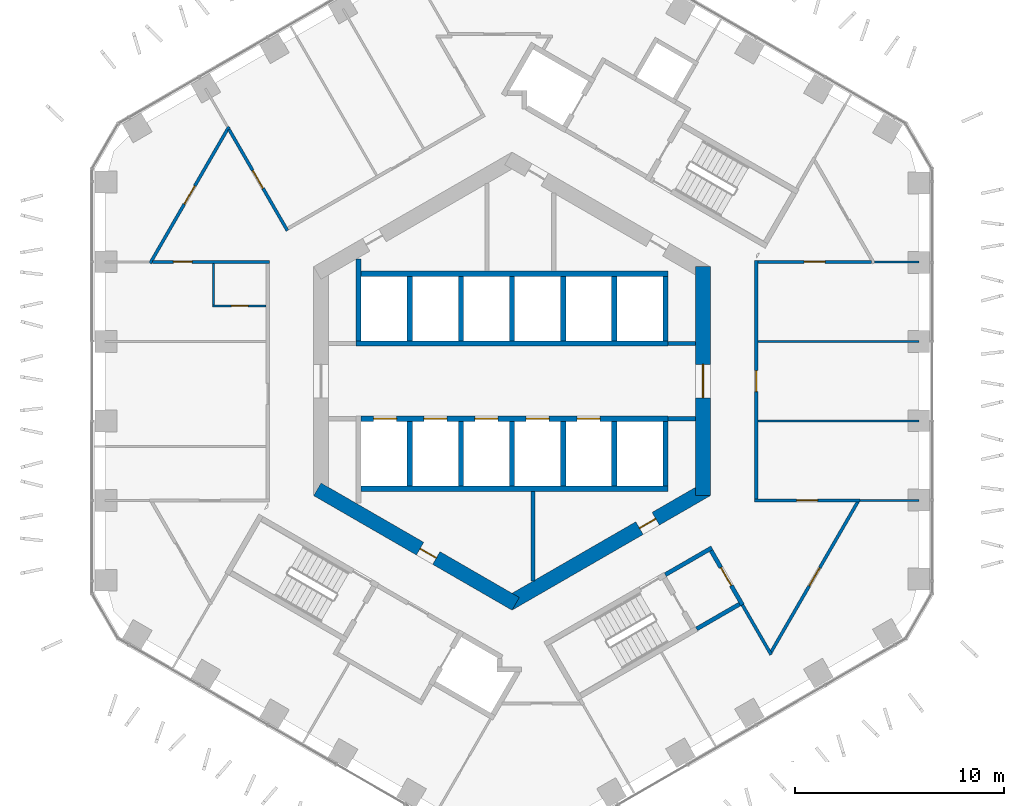
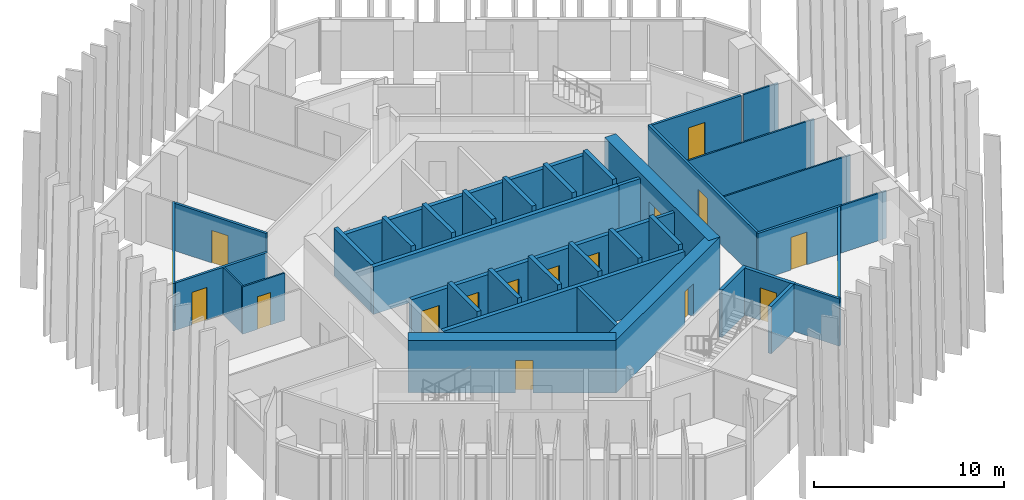
# One storey, part 13 of 18: 40 walls, 17 doors, 17 openings.
"""IFC4 building model written with IfcOpenShell, lengths in metres."""

from ifc_helpers import new_model, si_unit, direction, frame, frame_2d, origin, place, context, subcontext, project, spatial, rectangle, extrude, material, layer, layer_set, type_object, element, fill, save


model = new_model("IFC4")

# Units and contexts
model_context = context("Model", 3, precision=1e-05, world=origin(), true_north=direction((0.0, 1.0)))
body_context = subcontext(model_context, "Body", "Model", "MODEL_VIEW")
ifc_project = project(units=[si_unit("LENGTHUNIT", "METRE"), si_unit("AREAUNIT", "SQUARE_METRE"), si_unit("VOLUMEUNIT", "CUBIC_METRE"), si_unit("PLANEANGLEUNIT", "RADIAN"), si_unit("MASSUNIT", "GRAM", prefix="KILO")], contexts=[model_context])

# Site, building, storey
site_placement = place(None, origin())
site = spatial("IfcSite", under=ifc_project, at=site_placement, CompositionType="ELEMENT")
building_placement = place(site_placement, origin())
building = spatial("IfcBuilding", under=site, at=building_placement, Name="Ayvan Gate Tower", CompositionType="ELEMENT")
storey_placement = place(building_placement, frame((0.0, 0.0, 83.10009765625)))
storey = spatial("IfcBuildingStorey", under=building, at=storey_placement, Name="L21", CompositionType="ELEMENT", Elevation=83.10009765625)

# Wall, opening, door
ifc_material_1 = material(Name="Concrete C70/85", Category="concrete")
ifc_layer_1 = layer(ifc_material_1, 0.699951171875)
ifc_layer_set_1 = layer_set([ifc_layer_1], Name="Concrete C70/85")
wall_type_1 = type_object("IfcWallType", Name="Core wall 700 C70/85", PredefinedType="SHEAR", material=ifc_layer_set_1)
wall_1_placement = place(storey_placement, frame((9.14990234375, -5.48486328125, 0.0), z_axis=(0.0, 0.0, 1.0), x_axis=(0.0, 1.0, 0.0)))
wall_1 = element("IfcWall", 1, at=wall_1_placement, inside=storey, type_object=wall_type_1, Name="CORE-L21-0", PredefinedType="SHEAR", context=body_context, shape_type="SweptSolid", body=[
    extrude(rectangle(XDim=10.9697265625, YDim=0.699951171875, at=frame_2d((5.48486328125, 0.0))), origin(), (0.0, 0.0, 1.0), 3.39990234375),
])
opening_1_placement = place(wall_1_placement, frame((4.684814453125, 0.0, 0.0)))
opening_1 = element("IfcOpeningElement", 2, at=opening_1_placement, cuts=wall_1, Name="Opening L21-D42", PredefinedType="OPENING", context=body_context, shape_type="SweptSolid", body=[
    extrude(rectangle(XDim=1.60009765625, YDim=2.10009765625, at=frame_2d((0.800048828125, 1.050048828125))), frame((0.0, 0.35986328125, 0.0), z_axis=(0.0, -1.0, 0.0), x_axis=(1.0, 0.0, 0.0)), (0.0, 0.0, 1.0), 0.719970703125),
])
ifc_material_2 = material(Name="Timber door leaf", Category="wood")
door_type_1 = type_object("IfcDoorType", Name="DT-1600", OperationType="NOTDEFINED", PredefinedType="DOOR", material=ifc_material_2)
door_1_placement = place(opening_1_placement, origin())
door_1 = element("IfcDoor", 3, at=door_1_placement, inside=storey, type_object=door_type_1, Name="CD-L21-42", OperationType="SINGLE_SWING_LEFT", OverallHeight=2.10009765625, OverallWidth=1.60009765625, PredefinedType="DOOR", context=body_context, shape_type="SweptSolid", body=[
    extrude(rectangle(XDim=1.60009765625, YDim=2.10009765625, at=frame_2d((0.800048828125, 1.050048828125))), frame((0.0, 0.02490234375, 0.0), z_axis=(0.0, -1.0, 0.0), x_axis=(1.0, 0.0, 0.0)), (0.0, 0.0, 1.0), 0.050048828125),
])
fill(opening_1, door_1)

wall_2_placement = place(storey_placement, frame((-9.324951171875, -5.181640625, 0.0), z_axis=(0.0, 0.0, 1.0), x_axis=(0.866023993627, -0.500002442456, 0.0)))
wall_2 = element("IfcWall", 4, at=wall_2_placement, inside=storey, type_object=wall_type_1, Name="CORE-L21-4", PredefinedType="SHEAR", context=body_context, shape_type="SweptSolid", body=[
    extrude(rectangle(XDim=10.9697265625, YDim=0.699951171875, at=frame_2d((5.48486328125, 0.0))), origin(), (0.0, 0.0, 1.0), 3.39990234375),
])
opening_2_placement = place(wall_2_placement, frame((5.68212890625, 0.0, 0.0)))
opening_2 = element("IfcOpeningElement", 5, at=opening_2_placement, cuts=wall_2, Name="Opening L21-D40", PredefinedType="OPENING", context=body_context, shape_type="SweptSolid", body=[
    extrude(rectangle(XDim=0.89990234375, YDim=2.10009765625, at=frame_2d((0.449951171875, 1.050048828125))), frame((0.0, 0.35986328125, 0.0), z_axis=(0.0, -1.0, 0.0), x_axis=(1.0, 0.0, 0.0)), (0.0, 0.0, 1.0), 0.719970703125),
])
door_type_2 = type_object("IfcDoorType", Name="DT-900", OperationType="NOTDEFINED", PredefinedType="DOOR", material=ifc_material_2)
door_2_placement = place(opening_2_placement, origin())
door_2 = element("IfcDoor", 6, at=door_2_placement, inside=storey, type_object=door_type_2, Name="CD-L21-40", OperationType="SINGLE_SWING_LEFT", OverallHeight=2.10009765625, OverallWidth=0.89990234375, PredefinedType="DOOR", context=body_context, shape_type="SweptSolid", body=[
    extrude(rectangle(XDim=0.89990234375, YDim=2.10009765625, at=frame_2d((0.449951171875, 1.050048828125))), frame((0.0, 0.02490234375, 0.0), z_axis=(0.0, -1.0, 0.0), x_axis=(1.0, 0.0, 0.0)), (0.0, 0.0, 1.0), 0.050048828125),
])
fill(opening_2, door_2)

wall_3_placement = place(storey_placement, frame((-0.175048828125, -10.66650390625, 0.0), z_axis=(0.0, 0.0, 1.0), x_axis=(0.866023993627, 0.500002442456, 0.0)))
wall_3 = element("IfcWall", 7, at=wall_3_placement, inside=storey, type_object=wall_type_1, Name="CORE-L21-5", PredefinedType="SHEAR", context=body_context, shape_type="SweptSolid", body=[
    extrude(rectangle(XDim=10.9697265625, YDim=0.699951171875, at=frame_2d((5.48486328125, 0.0))), origin(), (0.0, 0.0, 1.0), 3.39990234375),
])
opening_3_placement = place(wall_3_placement, frame((7.25244140625, 0.0, 0.0)))
opening_3 = element("IfcOpeningElement", 8, at=opening_3_placement, cuts=wall_3, Name="Opening L21-D41", PredefinedType="OPENING", context=body_context, shape_type="SweptSolid", body=[
    extrude(rectangle(XDim=0.89990234375, YDim=2.10009765625, at=frame_2d((0.449951171875, 1.050048828125))), frame((0.0, 0.35986328125, 0.0), z_axis=(0.0, -1.0, 0.0), x_axis=(1.0, 0.0, 0.0)), (0.0, 0.0, 1.0), 0.719970703125),
])
door_3_placement = place(opening_3_placement, origin())
door_3 = element("IfcDoor", 9, at=door_3_placement, inside=storey, type_object=door_type_2, Name="CD-L21-41", OperationType="SINGLE_SWING_RIGHT", OverallHeight=2.10009765625, OverallWidth=0.89990234375, PredefinedType="DOOR", context=body_context, shape_type="SweptSolid", body=[
    extrude(rectangle(XDim=0.89990234375, YDim=2.10009765625, at=frame_2d((0.449951171875, 1.050048828125))), frame((0.0, 0.02490234375, 0.0), z_axis=(0.0, -1.0, 0.0), x_axis=(1.0, 0.0, 0.0)), (0.0, 0.0, 1.0), 0.050048828125),
])
fill(opening_3, door_3)

ifc_material_3 = material(Name="Plasterboard on steel stud", Category="steel")
ifc_layer_2 = layer(ifc_material_3, 0.14990234375)
ifc_layer_set_2 = layer_set([ifc_layer_2], Name="Plasterboard on steel stud")
wall_type_2 = type_object("IfcWallType", Name="WT-CORR-150", PredefinedType="PARTITIONING", material=ifc_layer_set_2)
wall_4_placement = place(storey_placement, frame((-17.33544921875, 5.645751953125, 0.0), z_axis=(0.0, 0.0, 1.0), x_axis=(0.499989064333, 0.866031717402, 0.0)))
wall_4 = element("IfcWall", 10, at=wall_4_placement, inside=storey, type_object=wall_type_2, Name="IW-L21-003", PredefinedType="PARTITIONING", context=body_context, shape_type="SweptSolid", body=[
    extrude(rectangle(XDim=7.556884765625, YDim=0.14990234375, at=frame_2d((3.7783203125, 0.0))), origin(), (0.0, 0.0, 1.0), 3.0498046875),
])
opening_4_placement = place(wall_4_placement, frame((3.2783203125, 0.0, 0.0)))
opening_4 = element("IfcOpeningElement", 11, at=opening_4_placement, cuts=wall_4, Name="Opening L21-D23", PredefinedType="OPENING", context=body_context, shape_type="SweptSolid", body=[
    extrude(rectangle(XDim=1.0, YDim=2.10009765625, at=frame_2d((0.5, 1.050048828125))), frame((0.0, 0.0849609375, 0.0), z_axis=(0.0, -1.0, 0.0), x_axis=(1.0, 0.0, 0.0)), (0.0, 0.0, 1.0), 0.169921875),
])
door_type_3 = type_object("IfcDoorType", Name="DT-1000", OperationType="NOTDEFINED", PredefinedType="DOOR", material=ifc_material_2)
door_4_placement = place(opening_4_placement, origin())
door_4 = element("IfcDoor", 12, at=door_4_placement, inside=storey, type_object=door_type_3, Name="ID-L21-023", OperationType="SINGLE_SWING_RIGHT", OverallHeight=2.10009765625, OverallWidth=1.0, PredefinedType="DOOR", context=body_context, shape_type="SweptSolid", body=[
    extrude(rectangle(XDim=1.0, YDim=2.10009765625, at=frame_2d((0.5, 1.050048828125))), frame((0.0, 0.02490234375, 0.0), z_axis=(0.0, -1.0, 0.0), x_axis=(1.0, 0.0, 0.0)), (0.0, 0.0, 1.0), 0.050048828125),
])
fill(opening_4, door_4)

wall_5_placement = place(storey_placement, frame((-17.222900390625, 5.710693359375, 0.0), z_axis=(0.0, 0.0, 1.0), x_axis=(1.0, 0.0, 0.0)))
wall_5 = element("IfcWall", 13, at=wall_5_placement, inside=storey, type_object=wall_type_2, Name="IW-L21-009", PredefinedType="PARTITIONING", context=body_context, shape_type="SweptSolid", body=[
    extrude(rectangle(XDim=5.597900390625, YDim=0.14990234375, at=frame_2d((2.798828125, 0.0))), origin(), (0.0, 0.0, 1.0), 3.0498046875),
])
opening_5_placement = place(wall_5_placement, frame((0.99658203125, 0.0, 0.0)))
opening_5 = element("IfcOpeningElement", 14, at=opening_5_placement, cuts=wall_5, Name="Opening L21-D24", PredefinedType="OPENING", context=body_context, shape_type="SweptSolid", body=[
    extrude(rectangle(XDim=0.89990234375, YDim=2.10009765625, at=frame_2d((0.449951171875, 1.050048828125))), frame((0.0, 0.0849609375, 0.0), z_axis=(0.0, -1.0, 0.0), x_axis=(1.0, 0.0, 0.0)), (0.0, 0.0, 1.0), 0.169921875),
])
door_5_placement = place(opening_5_placement, origin())
door_5 = element("IfcDoor", 15, at=door_5_placement, inside=storey, type_object=door_type_2, Name="ID-L21-024", OperationType="SINGLE_SWING_LEFT", OverallHeight=2.10009765625, OverallWidth=0.89990234375, PredefinedType="DOOR", context=body_context, shape_type="SweptSolid", body=[
    extrude(rectangle(XDim=0.89990234375, YDim=2.10009765625, at=frame_2d((0.449951171875, 1.050048828125))), frame((0.0, 0.02490234375, 0.0), z_axis=(0.0, -1.0, 0.0), x_axis=(1.0, 0.0, 0.0)), (0.0, 0.0, 1.0), 0.050048828125),
])
fill(opening_5, door_5)

wall_6_placement = place(storey_placement, frame((-13.55712890625, 12.060302734375, 0.0), z_axis=(0.0, 0.0, 1.0), x_axis=(0.499966582715, -0.866044696403, 0.0)))
wall_6 = element("IfcWall", 16, at=wall_6_placement, inside=storey, type_object=wall_type_2, Name="IW-L21-010", PredefinedType="PARTITIONING", context=body_context, shape_type="SweptSolid", body=[
    extrude(rectangle(XDim=5.59814453125, YDim=0.14990234375, at=frame_2d((2.799072265625, 0.0))), origin(), (0.0, 0.0, 1.0), 3.0498046875),
])
opening_6_placement = place(wall_6_placement, frame((2.261474609375, 0.0, 0.0)))
opening_6 = element("IfcOpeningElement", 17, at=opening_6_placement, cuts=wall_6, Name="Opening L21-D36", PredefinedType="OPENING", context=body_context, shape_type="SweptSolid", body=[
    extrude(rectangle(XDim=1.0, YDim=2.10009765625, at=frame_2d((0.5, 1.050048828125))), frame((0.0, 0.0849609375, 0.0), z_axis=(0.0, -1.0, 0.0), x_axis=(1.0, 0.0, 0.0)), (0.0, 0.0, 1.0), 0.169921875),
])
door_6_placement = place(opening_6_placement, origin())
door_6 = element("IfcDoor", 18, at=door_6_placement, inside=storey, type_object=door_type_3, Name="ID-L21-036", OperationType="SINGLE_SWING_LEFT", OverallHeight=2.10009765625, OverallWidth=1.0, PredefinedType="DOOR", context=body_context, shape_type="SweptSolid", body=[
    extrude(rectangle(XDim=1.0, YDim=2.10009765625, at=frame_2d((0.5, 1.050048828125))), frame((0.0, 0.02490234375, 0.0), z_axis=(0.0, -1.0, 0.0), x_axis=(1.0, 0.0, 0.0)), (0.0, 0.0, 1.0), 0.050048828125),
])
fill(opening_6, door_6)

wall_7_placement = place(storey_placement, frame((11.625, -5.710693359375, 0.0), z_axis=(0.0, 0.0, 1.0), x_axis=(1.0, 0.0, 0.0)))
wall_7 = element("IfcWall", 19, at=wall_7_placement, inside=storey, type_object=wall_type_2, Name="IW-L21-096", PredefinedType="PARTITIONING", context=body_context, shape_type="SweptSolid", body=[
    extrude(rectangle(XDim=5.05517578125, YDim=0.14990234375, at=frame_2d((2.527587890625, 0.0))), origin(), (0.0, 0.0, 1.0), 3.0498046875),
])
opening_7_placement = place(wall_7_placement, frame((2.01025390625, 0.0, 0.0)))
opening_7 = element("IfcOpeningElement", 20, at=opening_7_placement, cuts=wall_7, Name="Opening L21-D17", PredefinedType="OPENING", context=body_context, shape_type="SweptSolid", body=[
    extrude(rectangle(XDim=1.0, YDim=2.10009765625, at=frame_2d((0.5, 1.050048828125))), frame((0.0, 0.0849609375, 0.0), z_axis=(0.0, -1.0, 0.0), x_axis=(1.0, 0.0, 0.0)), (0.0, 0.0, 1.0), 0.169921875),
])
door_7_placement = place(opening_7_placement, origin())
door_7 = element("IfcDoor", 21, at=door_7_placement, inside=storey, type_object=door_type_3, Name="ID-L21-017", OperationType="SINGLE_SWING_RIGHT", OverallHeight=2.10009765625, OverallWidth=1.0, PredefinedType="DOOR", context=body_context, shape_type="SweptSolid", body=[
    extrude(rectangle(XDim=1.0, YDim=2.10009765625, at=frame_2d((0.5, 1.050048828125))), frame((0.0, 0.02490234375, 0.0), z_axis=(0.0, -1.0, 0.0), x_axis=(1.0, 0.0, 0.0)), (0.0, 0.0, 1.0), 0.050048828125),
])
fill(opening_7, door_7)

wall_8_placement = place(storey_placement, frame((11.699951171875, -5.6357421875, 0.0), z_axis=(0.0, 0.0, 1.0), x_axis=(0.0, 1.0, 0.0)))
wall_8 = element("IfcWall", 22, at=wall_8_placement, inside=storey, type_object=wall_type_2, Name="IW-L21-097", PredefinedType="PARTITIONING", context=body_context, shape_type="SweptSolid", body=[
    extrude(rectangle(XDim=11.421630859375, YDim=0.14990234375, at=frame_2d((5.7109375, 0.0))), origin(), (0.0, 0.0, 1.0), 3.0498046875),
])
opening_8_placement = place(wall_8_placement, frame((5.1357421875, 0.0, 0.0)))
opening_8 = element("IfcOpeningElement", 23, at=opening_8_placement, cuts=wall_8, Name="Opening L21-D18", PredefinedType="OPENING", context=body_context, shape_type="SweptSolid", body=[
    extrude(rectangle(XDim=1.0, YDim=2.10009765625, at=frame_2d((0.5, 1.050048828125))), frame((0.0, 0.0849609375, 0.0), z_axis=(0.0, -1.0, 0.0), x_axis=(1.0, 0.0, 0.0)), (0.0, 0.0, 1.0), 0.169921875),
])
door_8_placement = place(opening_8_placement, origin())
door_8 = element("IfcDoor", 24, at=door_8_placement, inside=storey, type_object=door_type_3, Name="ID-L21-018", OperationType="SINGLE_SWING_LEFT", OverallHeight=2.10009765625, OverallWidth=1.0, PredefinedType="DOOR", context=body_context, shape_type="SweptSolid", body=[
    extrude(rectangle(XDim=1.0, YDim=2.10009765625, at=frame_2d((0.5, 1.050048828125))), frame((0.0, 0.02490234375, 0.0), z_axis=(0.0, -1.0, 0.0), x_axis=(1.0, 0.0, 0.0)), (0.0, 0.0, 1.0), 0.050048828125),
])
fill(opening_8, door_8)

# Wall
wall_9_placement = place(storey_placement, frame((12.41357421875, -13.100830078125, 0.0), z_axis=(0.0, 0.0, 1.0), x_axis=(-0.499983500429, 0.866034929606, 0.0)))
element("IfcWall", 25, at=wall_9_placement, inside=storey, type_object=wall_type_2, Name="IW-L21-101", PredefinedType="PARTITIONING", context=body_context, shape_type="SweptSolid", body=[
    extrude(rectangle(XDim=2.75244140625, YDim=0.14990234375, at=frame_2d((1.376220703125, 0.0))), origin(), (0.0, 0.0, 1.0), 3.0498046875),
])

# Wall, opening, door
wall_10_placement = place(storey_placement, frame((16.567626953125, -5.775634765625, 0.0), z_axis=(0.0, 0.0, 1.0), x_axis=(-0.499985297152, -0.866033892311, 0.0)))
wall_10 = element("IfcWall", 26, at=wall_10_placement, inside=storey, type_object=wall_type_2, Name="IW-L21-106", PredefinedType="PARTITIONING", context=body_context, shape_type="SweptSolid", body=[
    extrude(rectangle(XDim=8.308349609375, YDim=0.14990234375, at=frame_2d((4.154296875, 0.0))), origin(), (0.0, 0.0, 1.0), 3.0498046875),
])
opening_9_placement = place(wall_10_placement, frame((3.654296875, 0.0, 0.0)))
opening_9 = element("IfcOpeningElement", 27, at=opening_9_placement, cuts=wall_10, Name="Opening L21-D33", PredefinedType="OPENING", context=body_context, shape_type="SweptSolid", body=[
    extrude(rectangle(XDim=1.0, YDim=2.10009765625, at=frame_2d((0.5, 1.050048828125))), frame((0.0, 0.0849609375, 0.0), z_axis=(0.0, -1.0, 0.0), x_axis=(1.0, 0.0, 0.0)), (0.0, 0.0, 1.0), 0.169921875),
])
door_9_placement = place(opening_9_placement, origin())
door_9 = element("IfcDoor", 28, at=door_9_placement, inside=storey, type_object=door_type_3, Name="ID-L21-033", OperationType="SINGLE_SWING_RIGHT", OverallHeight=2.10009765625, OverallWidth=1.0, PredefinedType="DOOR", context=body_context, shape_type="SweptSolid", body=[
    extrude(rectangle(XDim=1.0, YDim=2.10009765625, at=frame_2d((0.5, 1.050048828125))), frame((0.0, 0.02490234375, 0.0), z_axis=(0.0, -1.0, 0.0), x_axis=(1.0, 0.0, 0.0)), (0.0, 0.0, 1.0), 0.050048828125),
])
fill(opening_9, door_9)

wall_11_placement = place(storey_placement, frame((17.222900390625, 5.710693359375, 0.0), z_axis=(0.0, 0.0, 1.0), x_axis=(-1.0, 0.0, 0.0)))
wall_11 = element("IfcWall", 29, at=wall_11_placement, inside=storey, type_object=wall_type_2, Name="IW-L21-108", PredefinedType="PARTITIONING", context=body_context, shape_type="SweptSolid", body=[
    extrude(rectangle(XDim=5.447998046875, YDim=0.14990234375, at=frame_2d((2.72412109375, 0.0))), origin(), (0.0, 0.0, 1.0), 3.0498046875),
])
opening_10_placement = place(wall_11_placement, frame((2.22412109375, 0.0, 0.0)))
opening_10 = element("IfcOpeningElement", 30, at=opening_10_placement, cuts=wall_11, Name="Opening L21-D19", PredefinedType="OPENING", context=body_context, shape_type="SweptSolid", body=[
    extrude(rectangle(XDim=1.0, YDim=2.10009765625, at=frame_2d((0.5, 1.050048828125))), frame((0.0, 0.0849609375, 0.0), z_axis=(0.0, -1.0, 0.0), x_axis=(1.0, 0.0, 0.0)), (0.0, 0.0, 1.0), 0.169921875),
])
door_10_placement = place(opening_10_placement, origin())
door_10 = element("IfcDoor", 31, at=door_10_placement, inside=storey, type_object=door_type_3, Name="ID-L21-019", OperationType="SINGLE_SWING_RIGHT", OverallHeight=2.10009765625, OverallWidth=1.0, PredefinedType="DOOR", context=body_context, shape_type="SweptSolid", body=[
    extrude(rectangle(XDim=1.0, YDim=2.10009765625, at=frame_2d((0.5, 1.050048828125))), frame((0.0, 0.02490234375, 0.0), z_axis=(0.0, -1.0, 0.0), x_axis=(1.0, 0.0, 0.0)), (0.0, 0.0, 1.0), 0.050048828125),
])
fill(opening_10, door_10)

ifc_layer_3 = layer(ifc_material_3, 0.10009765625)
ifc_layer_set_3 = layer_set([ifc_layer_3], Name="Plasterboard on steel stud")
wall_type_3 = type_object("IfcWallType", Name="WT-PART-100", PredefinedType="PARTITIONING", material=ifc_layer_set_3)
wall_12_placement = place(storey_placement, frame((-14.35009765625, 3.603515625, 0.0), z_axis=(0.0, 0.0, 1.0), x_axis=(1.0, 0.0, 0.0)))
wall_12 = element("IfcWall", 32, at=wall_12_placement, inside=storey, type_object=wall_type_3, Name="IW-L21-007", PredefinedType="PARTITIONING", context=body_context, shape_type="SweptSolid", body=[
    extrude(rectangle(XDim=2.5751953125, YDim=0.10009765625, at=frame_2d((1.28759765625, 0.0))), origin(), (0.0, 0.0, 1.0), 3.0498046875),
])
opening_11_placement = place(wall_12_placement, frame((0.91259765625, 0.0, 0.0)))
opening_11 = element("IfcOpeningElement", 33, at=opening_11_placement, cuts=wall_12, Name="Opening L21-D25", PredefinedType="OPENING", context=body_context, shape_type="SweptSolid", body=[
    extrude(rectangle(XDim=0.800048828125, YDim=2.10009765625, at=frame_2d((0.39990234375, 1.050048828125))), frame((0.0, 0.06005859375, 0.0), z_axis=(0.0, -1.0, 0.0), x_axis=(1.0, 0.0, 0.0)), (0.0, 0.0, 1.0), 0.1201171875),
])
door_type_4 = type_object("IfcDoorType", Name="DT-800", OperationType="NOTDEFINED", PredefinedType="DOOR", material=ifc_material_2)
door_11_placement = place(opening_11_placement, origin())
door_11 = element("IfcDoor", 34, at=door_11_placement, inside=storey, type_object=door_type_4, Name="ID-L21-025", OperationType="SINGLE_SWING_RIGHT", OverallHeight=2.10009765625, OverallWidth=0.800048828125, PredefinedType="DOOR", context=body_context, shape_type="SweptSolid", body=[
    extrude(rectangle(XDim=0.800048828125, YDim=2.10009765625, at=frame_2d((0.39990234375, 1.050048828125))), frame((0.0, 0.02490234375, 0.0), z_axis=(0.0, -1.0, 0.0), x_axis=(1.0, 0.0, 0.0)), (0.0, 0.0, 1.0), 0.050048828125),
])
fill(opening_11, door_11)

# Walls
wall_13_placement = place(storey_placement, frame((-14.300048828125, 5.6357421875, 0.0), z_axis=(0.0, 0.0, 1.0), x_axis=(0.0, -1.0, 0.0)))
element("IfcWall", 35, at=wall_13_placement, inside=storey, type_object=wall_type_3, Name="IW-L21-008", PredefinedType="PARTITIONING", context=body_context, shape_type="SweptSolid", body=[
    extrude(rectangle(XDim=1.982177734375, YDim=0.10009765625, at=frame_2d((0.9912109375, 0.0))), origin(), (0.0, 0.0, 1.0), 3.0498046875),
])
for number, where, z_axis, x_axis, name in (
    (36, (11.77490234375, -1.903564453125, 0.0), (0.0, 0.0, 1.0), (1.0, 0.0, 0.0), "IW-L21-098"),
    (37, (11.77490234375, 1.903564453125, 0.0), (0.0, 0.0, 1.0), (1.0, 0.0, 0.0), "IW-L21-099"),
):
    element("IfcWall", number, at=place(storey_placement, frame(where, z_axis=z_axis, x_axis=x_axis)), inside=storey, type_object=wall_type_3, Name=name, PredefinedType="PARTITIONING", context=body_context, shape_type="SweptSolid", body=[
        extrude(rectangle(XDim=7.710693359375, YDim=0.10009765625, at=frame_2d((3.85546875, 0.0))), origin(), (0.0, 0.0, 1.0), 3.0498046875),
    ])
wall_14_placement = place(storey_placement, frame((17.372802734375, 5.710693359375, 0.0), z_axis=(0.0, 0.0, 1.0), x_axis=(1.0, 0.0, 0.0)))
element("IfcWall", 38, at=wall_14_placement, inside=storey, type_object=wall_type_3, Name="IW-L21-107", PredefinedType="PARTITIONING", context=body_context, shape_type="SweptSolid", body=[
    extrude(rectangle(XDim=2.11279296875, YDim=0.10009765625, at=frame_2d((1.056396484375, 0.0))), origin(), (0.0, 0.0, 1.0), 3.0498046875),
])
wall_15_placement = place(storey_placement, frame((19.485595703125, -5.710693359375, 0.0), z_axis=(0.0, 0.0, 1.0), x_axis=(-1.0, 0.0, 0.0)))
element("IfcWall", 39, at=wall_15_placement, inside=storey, type_object=wall_type_3, Name="IW-L21-109", PredefinedType="PARTITIONING", context=body_context, shape_type="SweptSolid", body=[
    extrude(rectangle(XDim=2.805419921875, YDim=0.10009765625, at=frame_2d((1.40283203125, 0.0))), origin(), (0.0, 0.0, 1.0), 3.0498046875),
])
ifc_layer_4 = layer(ifc_material_3, 0.199951171875)
ifc_layer_set_4 = layer_set([ifc_layer_4], Name="Plasterboard on steel stud")
wall_type_4 = type_object("IfcWallType", Name="WT-RATED-200", PredefinedType="PARTITIONING", material=ifc_layer_set_4)
wall_16_placement = place(storey_placement, frame((1.0, -5.27490234375, 0.0), z_axis=(0.0, 0.0, 1.0), x_axis=(0.0, -1.0, 0.0)))
element("IfcWall", 40, at=wall_16_placement, inside=storey, type_object=wall_type_4, Name="IW-L21-058", PredefinedType="PARTITIONING", context=body_context, shape_type="SweptSolid", body=[
    extrude(rectangle(XDim=4.30908203125, YDim=0.199951171875, at=frame_2d((2.154541015625, 0.0))), origin(), (0.0, 0.0, 1.0), 3.0498046875),
])
wall_17_placement = place(storey_placement, frame((7.343994140625, -9.27001953125, 0.0), z_axis=(0.0, 0.0, 1.0), x_axis=(0.866005588531, 0.500034319456, 0.0)))
element("IfcWall", 41, at=wall_17_placement, inside=storey, type_object=wall_type_4, Name="IW-L21-084", PredefinedType="PARTITIONING", context=body_context, shape_type="SweptSolid", body=[
    extrude(rectangle(XDim=2.574951171875, YDim=0.199951171875, at=frame_2d((1.28759765625, 0.0))), origin(), (0.0, 0.0, 1.0), 3.0498046875),
])
for number, where, z_axis, x_axis, name in (
    (42, (7.474853515625, 1.800048828125, 0.0), (0.0, 0.0, 1.0), (1.0, 0.0, 0.0), "IW-L21-085"),
    (43, (8.800048828125, -1.800048828125, 0.0), (0.0, 0.0, 1.0), (-1.0, 0.0, 0.0), "IW-L21-092"),
):
    element("IfcWall", number, at=place(storey_placement, frame(where, z_axis=z_axis, x_axis=x_axis)), inside=storey, type_object=wall_type_4, Name=name, PredefinedType="PARTITIONING", context=body_context, shape_type="SweptSolid", body=[
        extrude(rectangle(XDim=1.3251953125, YDim=0.199951171875, at=frame_2d((0.66259765625, 0.0))), origin(), (0.0, 0.0, 1.0), 3.0498046875),
    ])

# Wall, opening, door
wall_18_placement = place(storey_placement, frame((9.537353515625, -8.119140625, 0.0), z_axis=(0.0, 0.0, 1.0), x_axis=(0.499990139034, -0.866031096941, 0.0)))
wall_18 = element("IfcWall", 44, at=wall_18_placement, inside=storey, type_object=wall_type_4, Name="IW-L21-094", PredefinedType="PARTITIONING", context=body_context, shape_type="SweptSolid", body=[
    extrude(rectangle(XDim=3.0, YDim=0.199951171875, at=frame_2d((1.5, 0.0))), origin(), (0.0, 0.0, 1.0), 3.0498046875),
])
opening_12_placement = place(wall_18_placement, frame((0.93505859375, 0.0, 0.0)))
opening_12 = element("IfcOpeningElement", 45, at=opening_12_placement, cuts=wall_18, Name="Opening L21-D15", PredefinedType="OPENING", context=body_context, shape_type="SweptSolid", body=[
    extrude(rectangle(XDim=1.0, YDim=2.10009765625, at=frame_2d((0.5, 1.050048828125))), frame((0.0, 0.10986328125, 0.0), z_axis=(0.0, -1.0, 0.0), x_axis=(1.0, 0.0, 0.0)), (0.0, 0.0, 1.0), 0.219970703125),
])
door_12_placement = place(opening_12_placement, origin())
door_12 = element("IfcDoor", 46, at=door_12_placement, inside=storey, type_object=door_type_3, Name="ID-L21-015", OperationType="SINGLE_SWING_RIGHT", OverallHeight=2.10009765625, OverallWidth=1.0, PredefinedType="DOOR", context=body_context, shape_type="SweptSolid", body=[
    extrude(rectangle(XDim=1.0, YDim=2.10009765625, at=frame_2d((0.5, 1.050048828125))), frame((0.0, 0.02490234375, 0.0), z_axis=(0.0, -1.0, 0.0), x_axis=(1.0, 0.0, 0.0)), (0.0, 0.0, 1.0), 0.050048828125),
])
fill(opening_12, door_12)

# Walls
wall_19_placement = place(storey_placement, frame((10.900634765625, -10.6806640625, 0.0), z_axis=(0.0, 0.0, 1.0), x_axis=(-0.866007538022, -0.500030943131, 0.0)))
element("IfcWall", 47, at=wall_19_placement, inside=storey, type_object=wall_type_4, Name="IW-L21-095", PredefinedType="PARTITIONING", context=body_context, shape_type="SweptSolid", body=[
    extrude(rectangle(XDim=2.374755859375, YDim=0.199951171875, at=frame_2d((1.1875, 0.0))), origin(), (0.0, 0.0, 1.0), 3.0498046875),
])
ifc_material_4 = material(Name="Concrete C50/60", Category="concrete")
ifc_layer_5 = layer(ifc_material_4, 0.25)
ifc_layer_set_5 = layer_set([ifc_layer_5], Name="Concrete C50/60")
wall_type_5 = type_object("IfcWallType", Name="WT-RC-250", PredefinedType="SHEAR", material=ifc_layer_set_5)
wall_20_placement = place(storey_placement, frame((-7.47509765625, 1.800048828125, 0.0), z_axis=(0.0, 0.0, 1.0), x_axis=(1.0, 0.0, 0.0)))
element("IfcWall", 48, at=wall_20_placement, inside=storey, type_object=wall_type_5, Name="IW-L21-023", PredefinedType="SHEAR", context=body_context, shape_type="SweptSolid", body=[
    extrude(rectangle(XDim=14.9501953125, YDim=0.25, at=frame_2d((7.47509765625, 0.0))), origin(), (0.0, 0.0, 1.0), 3.0498046875),
])
wall_21_placement = place(storey_placement, frame((-7.35009765625, 1.925048828125, 0.0), z_axis=(0.0, 0.0, 1.0), x_axis=(0.0, 1.0, 0.0)))
element("IfcWall", 49, at=wall_21_placement, inside=storey, type_object=wall_type_5, Name="IW-L21-025", PredefinedType="SHEAR", context=body_context, shape_type="SweptSolid", body=[
    extrude(rectangle(XDim=3.920654296875, YDim=0.25, at=frame_2d((1.96044921875, 0.0))), origin(), (0.0, 0.0, 1.0), 3.0498046875),
])
for number, where, z_axis, x_axis, name in (
    (50, (-7.22509765625, 5.14990234375, 0.0), (0.0, 0.0, 1.0), (1.0, 0.0, 0.0), "IW-L21-026"),
    (51, (-7.22509765625, -5.14990234375, 0.0), (0.0, 0.0, 1.0), (1.0, 0.0, 0.0), "IW-L21-031"),
):
    element("IfcWall", number, at=place(storey_placement, frame(where, z_axis=z_axis, x_axis=x_axis)), inside=storey, type_object=wall_type_5, Name=name, PredefinedType="SHEAR", context=body_context, shape_type="SweptSolid", body=[
        extrude(rectangle(XDim=14.7001953125, YDim=0.25, at=frame_2d((7.35009765625, 0.0))), origin(), (0.0, 0.0, 1.0), 3.0498046875),
    ])
for number, where, z_axis, x_axis, name in (
    (52, (-4.89990234375, -1.925048828125, 0.0), (0.0, 0.0, 1.0), (0.0, -1.0, 0.0), "IW-L21-032"),
    (53, (-4.89990234375, 5.02490234375, 0.0), (0.0, 0.0, 1.0), (0.0, -1.0, 0.0), "IW-L21-033"),
):
    element("IfcWall", number, at=place(storey_placement, frame(where, z_axis=z_axis, x_axis=x_axis)), inside=storey, type_object=wall_type_5, Name=name, PredefinedType="SHEAR", context=body_context, shape_type="SweptSolid", body=[
        extrude(rectangle(XDim=3.099853515625, YDim=0.25, at=frame_2d((1.5498046875, 0.0))), origin(), (0.0, 0.0, 1.0), 3.39990234375),
    ])

# Wall, openings, doors
wall_22_placement = place(storey_placement, frame((-7.22509765625, -1.800048828125, 0.0), z_axis=(0.0, 0.0, 1.0), x_axis=(1.0, 0.0, 0.0)))
wall_22 = element("IfcWall", 54, at=wall_22_placement, inside=storey, type_object=wall_type_5, Name="IW-L21-034", PredefinedType="SHEAR", context=body_context, shape_type="SweptSolid", body=[
    extrude(rectangle(XDim=14.7001953125, YDim=0.25, at=frame_2d((7.35009765625, 0.0))), origin(), (0.0, 0.0, 1.0), 3.0498046875),
])
opening_13_placement = place(wall_22_placement, frame((0.597412109375, 0.0, 0.0)))
opening_13 = element("IfcOpeningElement", 55, at=opening_13_placement, cuts=wall_22, Name="Opening L21-LD-LR1", PredefinedType="OPENING", context=body_context, shape_type="SweptSolid", body=[
    extrude(rectangle(XDim=1.10009765625, YDim=2.10009765625, at=frame_2d((0.550048828125, 1.050048828125))), frame((0.0, 0.135009765625, 0.0), z_axis=(0.0, -1.0, 0.0), x_axis=(1.0, 0.0, 0.0)), (0.0, 0.0, 1.0), 0.27001953125),
])
opening_14_placement = place(wall_22_placement, frame((3.0, 0.0, 0.0)))
opening_14 = element("IfcOpeningElement", 56, at=opening_14_placement, cuts=wall_22, Name="Opening L21-LD-LR2", PredefinedType="OPENING", context=body_context, shape_type="SweptSolid", body=[
    extrude(rectangle(XDim=1.10009765625, YDim=2.10009765625, at=frame_2d((0.550048828125, 1.050048828125))), frame((0.0, 0.135009765625, 0.0), z_axis=(0.0, -1.0, 0.0), x_axis=(1.0, 0.0, 0.0)), (0.0, 0.0, 1.0), 0.27001953125),
])
opening_15_placement = place(wall_22_placement, frame((5.4501953125, 0.0, 0.0)))
opening_15 = element("IfcOpeningElement", 57, at=opening_15_placement, cuts=wall_22, Name="Opening L21-LD-LR3", PredefinedType="OPENING", context=body_context, shape_type="SweptSolid", body=[
    extrude(rectangle(XDim=1.10009765625, YDim=2.10009765625, at=frame_2d((0.550048828125, 1.050048828125))), frame((0.0, 0.135009765625, 0.0), z_axis=(0.0, -1.0, 0.0), x_axis=(1.0, 0.0, 0.0)), (0.0, 0.0, 1.0), 0.27001953125),
])
opening_16_placement = place(wall_22_placement, frame((7.900146484375, 0.0, 0.0)))
opening_16 = element("IfcOpeningElement", 58, at=opening_16_placement, cuts=wall_22, Name="Opening L21-LD-LR4", PredefinedType="OPENING", context=body_context, shape_type="SweptSolid", body=[
    extrude(rectangle(XDim=1.10009765625, YDim=2.10009765625, at=frame_2d((0.550048828125, 1.050048828125))), frame((0.0, 0.135009765625, 0.0), z_axis=(0.0, -1.0, 0.0), x_axis=(1.0, 0.0, 0.0)), (0.0, 0.0, 1.0), 0.27001953125),
])
opening_17_placement = place(wall_22_placement, frame((10.35009765625, 0.0, 0.0)))
opening_17 = element("IfcOpeningElement", 59, at=opening_17_placement, cuts=wall_22, Name="Opening L21-LD-SV", PredefinedType="OPENING", context=body_context, shape_type="SweptSolid", body=[
    extrude(rectangle(XDim=1.10009765625, YDim=2.10009765625, at=frame_2d((0.550048828125, 1.050048828125))), frame((0.0, 0.135009765625, 0.0), z_axis=(0.0, -1.0, 0.0), x_axis=(1.0, 0.0, 0.0)), (0.0, 0.0, 1.0), 0.27001953125),
])
ifc_material_5 = material(Name="Stainless steel landing door", Category="steel")
door_type_5 = type_object("IfcDoorType", Name="DT-LANDING-1100", OperationType="SLIDING_TO_LEFT", PredefinedType="DOOR", material=ifc_material_5)
door_13_placement = place(opening_13_placement, origin())
door_13 = element("IfcDoor", 60, at=door_13_placement, inside=storey, type_object=door_type_5, Name="ID-L21-001", OperationType="SLIDING_TO_LEFT", OverallHeight=2.10009765625, OverallWidth=1.10009765625, PredefinedType="DOOR", context=body_context, shape_type="SweptSolid", body=[
    extrude(rectangle(XDim=1.10009765625, YDim=2.10009765625, at=frame_2d((0.550048828125, 1.050048828125))), frame((0.0, 0.02490234375, 0.0), z_axis=(0.0, -1.0, 0.0), x_axis=(1.0, 0.0, 0.0)), (0.0, 0.0, 1.0), 0.050048828125),
])
fill(opening_13, door_13)
door_14_placement = place(opening_14_placement, origin())
door_14 = element("IfcDoor", 61, at=door_14_placement, inside=storey, type_object=door_type_5, Name="ID-L21-002", OperationType="SLIDING_TO_LEFT", OverallHeight=2.10009765625, OverallWidth=1.10009765625, PredefinedType="DOOR", context=body_context, shape_type="SweptSolid", body=[
    extrude(rectangle(XDim=1.10009765625, YDim=2.10009765625, at=frame_2d((0.550048828125, 1.050048828125))), frame((0.0, 0.02490234375, 0.0), z_axis=(0.0, -1.0, 0.0), x_axis=(1.0, 0.0, 0.0)), (0.0, 0.0, 1.0), 0.050048828125),
])
fill(opening_14, door_14)
door_15_placement = place(opening_15_placement, origin())
door_15 = element("IfcDoor", 62, at=door_15_placement, inside=storey, type_object=door_type_5, Name="ID-L21-003", OperationType="SLIDING_TO_LEFT", OverallHeight=2.10009765625, OverallWidth=1.10009765625, PredefinedType="DOOR", context=body_context, shape_type="SweptSolid", body=[
    extrude(rectangle(XDim=1.10009765625, YDim=2.10009765625, at=frame_2d((0.550048828125, 1.050048828125))), frame((0.0, 0.02490234375, 0.0), z_axis=(0.0, -1.0, 0.0), x_axis=(1.0, 0.0, 0.0)), (0.0, 0.0, 1.0), 0.050048828125),
])
fill(opening_15, door_15)
door_16_placement = place(opening_16_placement, origin())
door_16 = element("IfcDoor", 63, at=door_16_placement, inside=storey, type_object=door_type_5, Name="ID-L21-004", OperationType="SLIDING_TO_LEFT", OverallHeight=2.10009765625, OverallWidth=1.10009765625, PredefinedType="DOOR", context=body_context, shape_type="SweptSolid", body=[
    extrude(rectangle(XDim=1.10009765625, YDim=2.10009765625, at=frame_2d((0.550048828125, 1.050048828125))), frame((0.0, 0.02490234375, 0.0), z_axis=(0.0, -1.0, 0.0), x_axis=(1.0, 0.0, 0.0)), (0.0, 0.0, 1.0), 0.050048828125),
])
fill(opening_16, door_16)
door_17_placement = place(opening_17_placement, origin())
door_17 = element("IfcDoor", 64, at=door_17_placement, inside=storey, type_object=door_type_5, Name="ID-L21-005", OperationType="SLIDING_TO_LEFT", OverallHeight=2.10009765625, OverallWidth=1.10009765625, PredefinedType="DOOR", context=body_context, shape_type="SweptSolid", body=[
    extrude(rectangle(XDim=1.10009765625, YDim=2.10009765625, at=frame_2d((0.550048828125, 1.050048828125))), frame((0.0, 0.02490234375, 0.0), z_axis=(0.0, -1.0, 0.0), x_axis=(1.0, 0.0, 0.0)), (0.0, 0.0, 1.0), 0.050048828125),
])
fill(opening_17, door_17)

# Walls
for number, where, z_axis, x_axis, name in (
    (65, (-2.449951171875, -1.925048828125, 0.0), (0.0, 0.0, 1.0), (0.0, -1.0, 0.0), "IW-L21-044"),
    (66, (-2.449951171875, 5.02490234375, 0.0), (0.0, 0.0, 1.0), (0.0, -1.0, 0.0), "IW-L21-045"),
    (67, (0.0, -1.925048828125, 0.0), (0.0, 0.0, 1.0), (0.0, -1.0, 0.0), "IW-L21-053"),
    (68, (0.0, 5.02490234375, 0.0), (0.0, 0.0, 1.0), (0.0, -1.0, 0.0), "IW-L21-054"),
    (69, (2.449951171875, -1.925048828125, 0.0), (0.0, 0.0, 1.0), (0.0, -1.0, 0.0), "IW-L21-064"),
    (70, (2.449951171875, 5.02490234375, 0.0), (0.0, 0.0, 1.0), (0.0, -1.0, 0.0), "IW-L21-065"),
    (71, (4.89990234375, -1.925048828125, 0.0), (0.0, 0.0, 1.0), (0.0, -1.0, 0.0), "IW-L21-074"),
    (72, (4.89990234375, 5.02490234375, 0.0), (0.0, 0.0, 1.0), (0.0, -1.0, 0.0), "IW-L21-075"),
    (73, (7.35009765625, -1.925048828125, 0.0), (0.0, 0.0, 1.0), (0.0, -1.0, 0.0), "IW-L21-086"),
    (74, (7.35009765625, 5.02490234375, 0.0), (0.0, 0.0, 1.0), (0.0, -1.0, 0.0), "IW-L21-087"),
):
    element("IfcWall", number, at=place(storey_placement, frame(where, z_axis=z_axis, x_axis=x_axis)), inside=storey, type_object=wall_type_5, Name=name, PredefinedType="SHEAR", context=body_context, shape_type="SweptSolid", body=[
        extrude(rectangle(XDim=3.099853515625, YDim=0.25, at=frame_2d((1.5498046875, 0.0))), origin(), (0.0, 0.0, 1.0), 3.39990234375),
    ])

save(model, "model.ifc")
